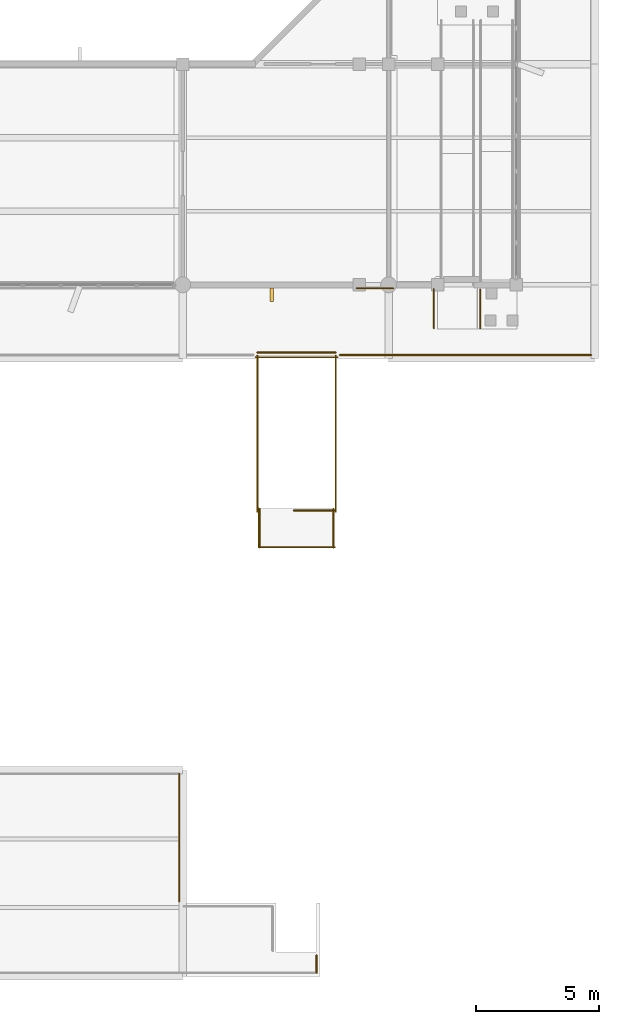
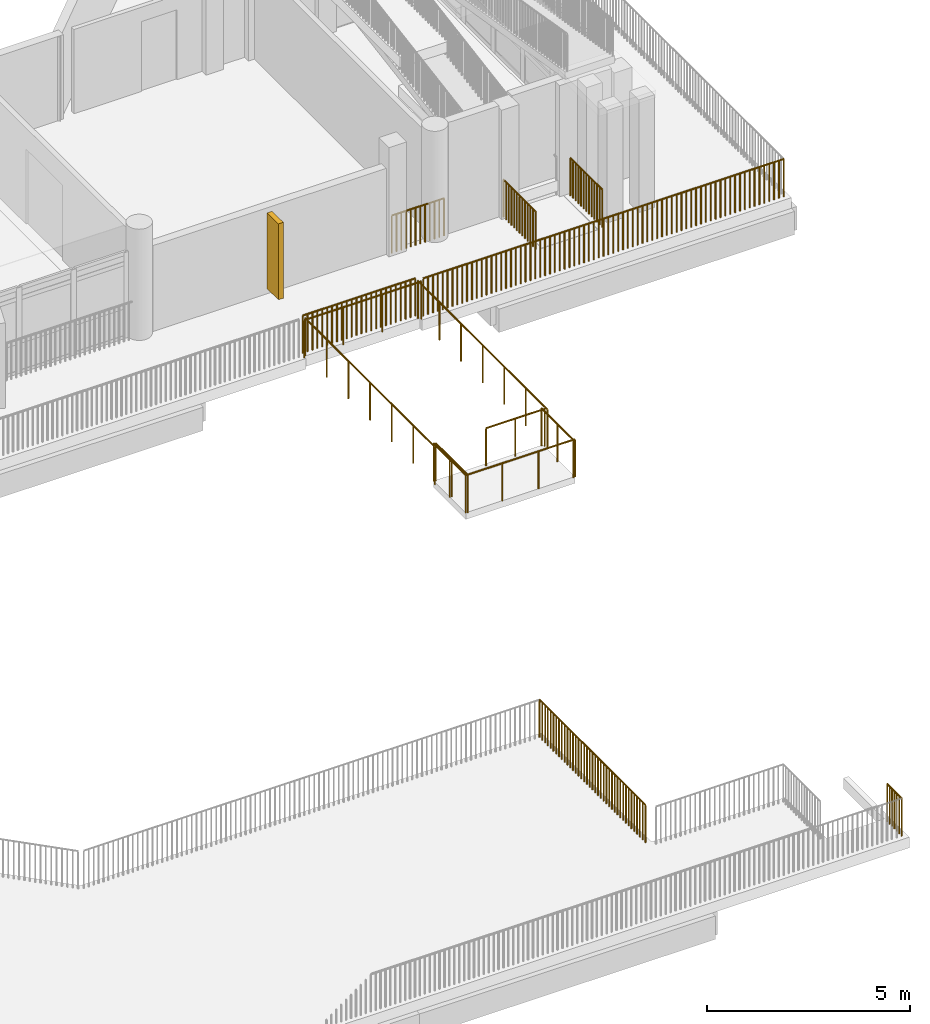
# One storey, part 43 of 51: 14 railings, 1 shading device.
"""IFC4 building model written with IfcOpenShell, lengths in metres."""

from ifc_helpers import new_model, si_unit, direction, frame, origin, origin_2d, place, context, subcontext, project, spatial, rectangle, circle, extrude, material, type_object, element, save


model = new_model("IFC4")

# Units and contexts
model_context = context("Model", 3, precision=1e-05, world=origin(), true_north=direction((0.0, 1.0)))
body_context = subcontext(model_context, "Body", "Model", "MODEL_VIEW")
ifc_project = project(units=[si_unit("LENGTHUNIT", "METRE"), si_unit("AREAUNIT", "SQUARE_METRE"), si_unit("VOLUMEUNIT", "CUBIC_METRE"), si_unit("PLANEANGLEUNIT", "RADIAN"), si_unit("MASSUNIT", "GRAM", prefix="KILO")], contexts=[model_context])

# Site, building, storey
site_placement = place(None, origin())
site = spatial("IfcSite", under=ifc_project, at=site_placement, CompositionType="ELEMENT")
building_placement = place(site_placement, origin())
building = spatial("IfcBuilding", under=site, at=building_placement, Name="Vanh Quang Courtyard School", CompositionType="ELEMENT")
storey_placement = place(building_placement, frame((0.0, 0.0, 11.39990234375)))
storey = spatial("IfcBuildingStorey", under=building, at=storey_placement, Name="L03", CompositionType="ELEMENT", Elevation=11.39990234375)

# Railings
ifc_material_1 = material(Name="Galvanised painted steel EN 10025-2 S355J2", Category="steel")
railing_type = type_object("IfcRailingType", Name="RAIL-GUARD-1150", PredefinedType="BALUSTRADE", material=ifc_material_1)
railing_1_placement = place(storey_placement, frame((109.694580078125, 32.260009765625, 0.0)))
element("IfcRailing", 1, at=railing_1_placement, inside=storey, type_object=railing_type, Name="Railing GR-01 (L03)", PredefinedType="BALUSTRADE", context=body_context, shape_type="SweptSolid", body=[
    extrude(circle(Radius=0.02392578125, at=origin_2d()), frame((0.0, 0.0, 1.1259765625), z_axis=(1.0, 0.0, 0.0), x_axis=(0.0, 1.0, 0.0)), (0.0, 0.0, 1.0), 1.48583984375),
    extrude(circle(Radius=0.02099609375, at=origin_2d()), origin(), (0.0, 0.0, 1.0), 1.101806640625),
    extrude(circle(Radius=0.02099609375, at=origin_2d()), frame((0.135009765625, 0.0, 0.0)), (0.0, 0.0, 1.0), 1.101806640625),
    extrude(circle(Radius=0.02099609375, at=origin_2d()), frame((0.270263671875, 0.0, 0.0)), (0.0, 0.0, 1.0), 1.101806640625),
    extrude(circle(Radius=0.02099609375, at=origin_2d()), frame((0.4052734375, 0.0, 0.0)), (0.0, 0.0, 1.0), 1.101806640625),
    extrude(circle(Radius=0.02099609375, at=origin_2d()), frame((0.540283203125, 0.0, 0.0)), (0.0, 0.0, 1.0), 1.101806640625),
    extrude(circle(Radius=0.02099609375, at=origin_2d()), frame((0.67529296875, 0.0, 0.0)), (0.0, 0.0, 1.0), 1.101806640625),
    extrude(circle(Radius=0.02099609375, at=origin_2d()), frame((0.810546875, 0.0, 0.0)), (0.0, 0.0, 1.0), 1.101806640625),
    extrude(circle(Radius=0.02099609375, at=origin_2d()), frame((0.945556640625, 0.0, 0.0)), (0.0, 0.0, 1.0), 1.101806640625),
    extrude(circle(Radius=0.02099609375, at=origin_2d()), frame((1.08056640625, 0.0, 0.0)), (0.0, 0.0, 1.0), 1.101806640625),
    extrude(circle(Radius=0.02099609375, at=origin_2d()), frame((1.215576171875, 0.0, 0.0)), (0.0, 0.0, 1.0), 1.101806640625),
    extrude(circle(Radius=0.02099609375, at=origin_2d()), frame((1.350830078125, 0.0, 0.0)), (0.0, 0.0, 1.0), 1.101806640625),
    extrude(circle(Radius=0.02099609375, at=origin_2d()), frame((1.48583984375, 0.0, 0.0)), (0.0, 0.0, 1.0), 1.101806640625),
])
railing_2_placement = place(storey_placement, frame((112.844970703125, 32.222900390625, 0.0)))
element("IfcRailing", 2, at=railing_2_placement, inside=storey, type_object=railing_type, Name="Railing GR-01 (L03)", PredefinedType="BALUSTRADE", context=body_context, shape_type="SweptSolid", body=[
    extrude(circle(Radius=0.02392578125, at=origin_2d()), frame((0.0, 0.0, 1.1259765625), z_axis=(0.0, -1.0, 0.0), x_axis=(1.0, 0.0, 0.0)), (0.0, 0.0, 1.0), 1.587890625),
    extrude(circle(Radius=0.02099609375, at=origin_2d()), origin(), (0.0, 0.0, 1.0), 1.101806640625),
    extrude(circle(Radius=0.02099609375, at=origin_2d()), frame((0.0, -0.13232421875, 0.0)), (0.0, 0.0, 1.0), 1.101806640625),
    extrude(circle(Radius=0.02099609375, at=origin_2d()), frame((0.0, -0.2646484375, 0.0)), (0.0, 0.0, 1.0), 1.101806640625),
    extrude(circle(Radius=0.02099609375, at=origin_2d()), frame((0.0, -0.39697265625, 0.0)), (0.0, 0.0, 1.0), 1.101806640625),
    extrude(circle(Radius=0.02099609375, at=origin_2d()), frame((0.0, -0.529296875, 0.0)), (0.0, 0.0, 1.0), 1.101806640625),
    extrude(circle(Radius=0.02099609375, at=origin_2d()), frame((0.0, -0.66162109375, 0.0)), (0.0, 0.0, 1.0), 1.101806640625),
    extrude(circle(Radius=0.02099609375, at=origin_2d()), frame((0.0, -0.7939453125, 0.0)), (0.0, 0.0, 1.0), 1.101806640625),
    extrude(circle(Radius=0.02099609375, at=origin_2d()), frame((0.0, -0.92626953125, 0.0)), (0.0, 0.0, 1.0), 1.101806640625),
    extrude(circle(Radius=0.02099609375, at=origin_2d()), frame((0.0, -1.05859375, 0.0)), (0.0, 0.0, 1.0), 1.101806640625),
    extrude(circle(Radius=0.02099609375, at=origin_2d()), frame((0.0, -1.19091796875, 0.0)), (0.0, 0.0, 1.0), 1.101806640625),
    extrude(circle(Radius=0.02099609375, at=origin_2d()), frame((0.0, -1.3232421875, 0.0)), (0.0, 0.0, 1.0), 1.101806640625),
    extrude(circle(Radius=0.02099609375, at=origin_2d()), frame((0.0, -1.45556640625, 0.0)), (0.0, 0.0, 1.0), 1.101806640625),
    extrude(circle(Radius=0.02099609375, at=origin_2d()), frame((0.0, -1.587890625, 0.0)), (0.0, 0.0, 1.0), 1.101806640625),
])
railing_3_placement = place(storey_placement, frame((114.735107421875, 30.635009765625, 0.0)))
element("IfcRailing", 3, at=railing_3_placement, inside=storey, type_object=railing_type, Name="Railing GR-01 (L03)", PredefinedType="BALUSTRADE", context=body_context, shape_type="SweptSolid", body=[
    extrude(circle(Radius=0.02392578125, at=origin_2d()), frame((0.0, 0.0, 1.1259765625), z_axis=(0.0, 1.0, 0.0), x_axis=(-1.0, 0.0, 0.0)), (0.0, 0.0, 1.0), 1.56494140625),
    extrude(circle(Radius=0.02099609375, at=origin_2d()), origin(), (0.0, 0.0, 1.0), 1.101806640625),
    extrude(circle(Radius=0.02099609375, at=origin_2d()), frame((0.0, 0.13037109375, 0.0)), (0.0, 0.0, 1.0), 1.101806640625),
    extrude(circle(Radius=0.02099609375, at=origin_2d()), frame((0.0, 0.2607421875, 0.0)), (0.0, 0.0, 1.0), 1.101806640625),
    extrude(circle(Radius=0.02099609375, at=origin_2d()), frame((0.0, 0.39111328125, 0.0)), (0.0, 0.0, 1.0), 1.101806640625),
    extrude(circle(Radius=0.02099609375, at=origin_2d()), frame((0.0, 0.521728515625, 0.0)), (0.0, 0.0, 1.0), 1.101806640625),
    extrude(circle(Radius=0.02099609375, at=origin_2d()), frame((0.0, 0.652099609375, 0.0)), (0.0, 0.0, 1.0), 1.101806640625),
    extrude(circle(Radius=0.02099609375, at=origin_2d()), frame((0.0, 0.782470703125, 0.0)), (0.0, 0.0, 1.0), 1.101806640625),
    extrude(circle(Radius=0.02099609375, at=origin_2d()), frame((0.0, 0.912841796875, 0.0)), (0.0, 0.0, 1.0), 1.101806640625),
    extrude(circle(Radius=0.02099609375, at=origin_2d()), frame((0.0, 1.043212890625, 0.0)), (0.0, 0.0, 1.0), 1.101806640625),
    extrude(circle(Radius=0.02099609375, at=origin_2d()), frame((0.0, 1.173828125, 0.0)), (0.0, 0.0, 1.0), 1.101806640625),
    extrude(circle(Radius=0.02099609375, at=origin_2d()), frame((0.0, 1.30419921875, 0.0)), (0.0, 0.0, 1.0), 1.101806640625),
    extrude(circle(Radius=0.02099609375, at=origin_2d()), frame((0.0, 1.4345703125, 0.0)), (0.0, 0.0, 1.0), 1.101806640625),
    extrude(circle(Radius=0.02099609375, at=origin_2d()), frame((0.0, 1.56494140625, 0.0)), (0.0, 0.0, 1.0), 1.101806640625),
])
railing_4_placement = place(storey_placement, frame((119.260009765625, 29.5400390625, 0.0)))
element("IfcRailing", 4, at=railing_4_placement, inside=storey, type_object=railing_type, Name="Railing GR-01 (L03)", PredefinedType="BALUSTRADE", context=body_context, shape_type="SweptSolid", body=[
    extrude(circle(Radius=0.02392578125, at=origin_2d()), frame((0.0, 0.0, 1.1259765625), z_axis=(-1.0, 0.0, 0.0), x_axis=(0.0, -1.0, 0.0)), (0.0, 0.0, 1.0), 10.242919921875),
    extrude(circle(Radius=0.02099609375, at=origin_2d()), origin(), (0.0, 0.0, 1.0), 1.101806640625),
    extrude(circle(Radius=0.02099609375, at=origin_2d()), frame((-0.138427734375, 0.0, 0.0)), (0.0, 0.0, 1.0), 1.101806640625),
    extrude(circle(Radius=0.02099609375, at=origin_2d()), frame((-0.27685546875, 0.0, 0.0)), (0.0, 0.0, 1.0), 1.101806640625),
    extrude(circle(Radius=0.02099609375, at=origin_2d()), frame((-0.415283203125, 0.0, 0.0)), (0.0, 0.0, 1.0), 1.101806640625),
    extrude(circle(Radius=0.02099609375, at=origin_2d()), frame((-0.5537109375, 0.0, 0.0)), (0.0, 0.0, 1.0), 1.101806640625),
    extrude(circle(Radius=0.02099609375, at=origin_2d()), frame((-0.692138671875, 0.0, 0.0)), (0.0, 0.0, 1.0), 1.101806640625),
    extrude(circle(Radius=0.02099609375, at=origin_2d()), frame((-0.83056640625, 0.0, 0.0)), (0.0, 0.0, 1.0), 1.101806640625),
    extrude(circle(Radius=0.02099609375, at=origin_2d()), frame((-0.968994140625, 0.0, 0.0)), (0.0, 0.0, 1.0), 1.101806640625),
    extrude(circle(Radius=0.02099609375, at=origin_2d()), frame((-1.107421875, 0.0, 0.0)), (0.0, 0.0, 1.0), 1.101806640625),
    extrude(circle(Radius=0.02099609375, at=origin_2d()), frame((-1.245849609375, 0.0, 0.0)), (0.0, 0.0, 1.0), 1.101806640625),
    extrude(circle(Radius=0.02099609375, at=origin_2d()), frame((-1.38427734375, 0.0, 0.0)), (0.0, 0.0, 1.0), 1.101806640625),
    extrude(circle(Radius=0.02099609375, at=origin_2d()), frame((-1.522705078125, 0.0, 0.0)), (0.0, 0.0, 1.0), 1.101806640625),
    extrude(circle(Radius=0.02099609375, at=origin_2d()), frame((-1.6611328125, 0.0, 0.0)), (0.0, 0.0, 1.0), 1.101806640625),
    extrude(circle(Radius=0.02099609375, at=origin_2d()), frame((-1.79931640625, 0.0, 0.0)), (0.0, 0.0, 1.0), 1.101806640625),
    extrude(circle(Radius=0.02099609375, at=origin_2d()), frame((-1.937744140625, 0.0, 0.0)), (0.0, 0.0, 1.0), 1.101806640625),
    extrude(circle(Radius=0.02099609375, at=origin_2d()), frame((-2.076171875, 0.0, 0.0)), (0.0, 0.0, 1.0), 1.101806640625),
    extrude(circle(Radius=0.02099609375, at=origin_2d()), frame((-2.214599609375, 0.0, 0.0)), (0.0, 0.0, 1.0), 1.101806640625),
    extrude(circle(Radius=0.02099609375, at=origin_2d()), frame((-2.35302734375, 0.0, 0.0)), (0.0, 0.0, 1.0), 1.101806640625),
    extrude(circle(Radius=0.02099609375, at=origin_2d()), frame((-2.491455078125, 0.0, 0.0)), (0.0, 0.0, 1.0), 1.101806640625),
    extrude(circle(Radius=0.02099609375, at=origin_2d()), frame((-2.6298828125, 0.0, 0.0)), (0.0, 0.0, 1.0), 1.101806640625),
    extrude(circle(Radius=0.02099609375, at=origin_2d()), frame((-2.768310546875, 0.0, 0.0)), (0.0, 0.0, 1.0), 1.101806640625),
    extrude(circle(Radius=0.02099609375, at=origin_2d()), frame((-2.90673828125, 0.0, 0.0)), (0.0, 0.0, 1.0), 1.101806640625),
    extrude(circle(Radius=0.02099609375, at=origin_2d()), frame((-3.045166015625, 0.0, 0.0)), (0.0, 0.0, 1.0), 1.101806640625),
    extrude(circle(Radius=0.02099609375, at=origin_2d()), frame((-3.18359375, 0.0, 0.0)), (0.0, 0.0, 1.0), 1.101806640625),
    extrude(circle(Radius=0.02099609375, at=origin_2d()), frame((-3.322021484375, 0.0, 0.0)), (0.0, 0.0, 1.0), 1.101806640625),
    extrude(circle(Radius=0.02099609375, at=origin_2d()), frame((-3.46044921875, 0.0, 0.0)), (0.0, 0.0, 1.0), 1.101806640625),
    extrude(circle(Radius=0.02099609375, at=origin_2d()), frame((-3.598876953125, 0.0, 0.0)), (0.0, 0.0, 1.0), 1.101806640625),
    extrude(circle(Radius=0.02099609375, at=origin_2d()), frame((-3.7373046875, 0.0, 0.0)), (0.0, 0.0, 1.0), 1.101806640625),
    extrude(circle(Radius=0.02099609375, at=origin_2d()), frame((-3.875732421875, 0.0, 0.0)), (0.0, 0.0, 1.0), 1.101806640625),
    extrude(circle(Radius=0.02099609375, at=origin_2d()), frame((-4.01416015625, 0.0, 0.0)), (0.0, 0.0, 1.0), 1.101806640625),
    extrude(circle(Radius=0.02099609375, at=origin_2d()), frame((-4.152587890625, 0.0, 0.0)), (0.0, 0.0, 1.0), 1.101806640625),
    extrude(circle(Radius=0.02099609375, at=origin_2d()), frame((-4.291015625, 0.0, 0.0)), (0.0, 0.0, 1.0), 1.101806640625),
    extrude(circle(Radius=0.02099609375, at=origin_2d()), frame((-4.429443359375, 0.0, 0.0)), (0.0, 0.0, 1.0), 1.101806640625),
    extrude(circle(Radius=0.02099609375, at=origin_2d()), frame((-4.56787109375, 0.0, 0.0)), (0.0, 0.0, 1.0), 1.101806640625),
    extrude(circle(Radius=0.02099609375, at=origin_2d()), frame((-4.706298828125, 0.0, 0.0)), (0.0, 0.0, 1.0), 1.101806640625),
    extrude(circle(Radius=0.02099609375, at=origin_2d()), frame((-4.8447265625, 0.0, 0.0)), (0.0, 0.0, 1.0), 1.101806640625),
    extrude(circle(Radius=0.02099609375, at=origin_2d()), frame((-4.983154296875, 0.0, 0.0)), (0.0, 0.0, 1.0), 1.101806640625),
    extrude(circle(Radius=0.02099609375, at=origin_2d()), frame((-5.12158203125, 0.0, 0.0)), (0.0, 0.0, 1.0), 1.101806640625),
    extrude(circle(Radius=0.02099609375, at=origin_2d()), frame((-5.259765625, 0.0, 0.0)), (0.0, 0.0, 1.0), 1.101806640625),
    extrude(circle(Radius=0.02099609375, at=origin_2d()), frame((-5.398193359375, 0.0, 0.0)), (0.0, 0.0, 1.0), 1.101806640625),
    extrude(circle(Radius=0.02099609375, at=origin_2d()), frame((-5.53662109375, 0.0, 0.0)), (0.0, 0.0, 1.0), 1.101806640625),
    extrude(circle(Radius=0.02099609375, at=origin_2d()), frame((-5.675048828125, 0.0, 0.0)), (0.0, 0.0, 1.0), 1.101806640625),
    extrude(circle(Radius=0.02099609375, at=origin_2d()), frame((-5.8134765625, 0.0, 0.0)), (0.0, 0.0, 1.0), 1.101806640625),
    extrude(circle(Radius=0.02099609375, at=origin_2d()), frame((-5.951904296875, 0.0, 0.0)), (0.0, 0.0, 1.0), 1.101806640625),
    extrude(circle(Radius=0.02099609375, at=origin_2d()), frame((-6.09033203125, 0.0, 0.0)), (0.0, 0.0, 1.0), 1.101806640625),
    extrude(circle(Radius=0.02099609375, at=origin_2d()), frame((-6.228759765625, 0.0, 0.0)), (0.0, 0.0, 1.0), 1.101806640625),
    extrude(circle(Radius=0.02099609375, at=origin_2d()), frame((-6.3671875, 0.0, 0.0)), (0.0, 0.0, 1.0), 1.101806640625),
    extrude(circle(Radius=0.02099609375, at=origin_2d()), frame((-6.505615234375, 0.0, 0.0)), (0.0, 0.0, 1.0), 1.101806640625),
    extrude(circle(Radius=0.02099609375, at=origin_2d()), frame((-6.64404296875, 0.0, 0.0)), (0.0, 0.0, 1.0), 1.101806640625),
    extrude(circle(Radius=0.02099609375, at=origin_2d()), frame((-6.782470703125, 0.0, 0.0)), (0.0, 0.0, 1.0), 1.101806640625),
    extrude(circle(Radius=0.02099609375, at=origin_2d()), frame((-6.9208984375, 0.0, 0.0)), (0.0, 0.0, 1.0), 1.101806640625),
    extrude(circle(Radius=0.02099609375, at=origin_2d()), frame((-7.059326171875, 0.0, 0.0)), (0.0, 0.0, 1.0), 1.101806640625),
    extrude(circle(Radius=0.02099609375, at=origin_2d()), frame((-7.19775390625, 0.0, 0.0)), (0.0, 0.0, 1.0), 1.101806640625),
    extrude(circle(Radius=0.02099609375, at=origin_2d()), frame((-7.336181640625, 0.0, 0.0)), (0.0, 0.0, 1.0), 1.101806640625),
    extrude(circle(Radius=0.02099609375, at=origin_2d()), frame((-7.474609375, 0.0, 0.0)), (0.0, 0.0, 1.0), 1.101806640625),
    extrude(circle(Radius=0.02099609375, at=origin_2d()), frame((-7.613037109375, 0.0, 0.0)), (0.0, 0.0, 1.0), 1.101806640625),
    extrude(circle(Radius=0.02099609375, at=origin_2d()), frame((-7.75146484375, 0.0, 0.0)), (0.0, 0.0, 1.0), 1.101806640625),
    extrude(circle(Radius=0.02099609375, at=origin_2d()), frame((-7.889892578125, 0.0, 0.0)), (0.0, 0.0, 1.0), 1.101806640625),
    extrude(circle(Radius=0.02099609375, at=origin_2d()), frame((-8.0283203125, 0.0, 0.0)), (0.0, 0.0, 1.0), 1.101806640625),
    extrude(circle(Radius=0.02099609375, at=origin_2d()), frame((-8.166748046875, 0.0, 0.0)), (0.0, 0.0, 1.0), 1.101806640625),
    extrude(circle(Radius=0.02099609375, at=origin_2d()), frame((-8.30517578125, 0.0, 0.0)), (0.0, 0.0, 1.0), 1.101806640625),
    extrude(circle(Radius=0.02099609375, at=origin_2d()), frame((-8.443603515625, 0.0, 0.0)), (0.0, 0.0, 1.0), 1.101806640625),
    extrude(circle(Radius=0.02099609375, at=origin_2d()), frame((-8.581787109375, 0.0, 0.0)), (0.0, 0.0, 1.0), 1.101806640625),
    extrude(circle(Radius=0.02099609375, at=origin_2d()), frame((-8.72021484375, 0.0, 0.0)), (0.0, 0.0, 1.0), 1.101806640625),
    extrude(circle(Radius=0.02099609375, at=origin_2d()), frame((-8.858642578125, 0.0, 0.0)), (0.0, 0.0, 1.0), 1.101806640625),
    extrude(circle(Radius=0.02099609375, at=origin_2d()), frame((-8.9970703125, 0.0, 0.0)), (0.0, 0.0, 1.0), 1.101806640625),
    extrude(circle(Radius=0.02099609375, at=origin_2d()), frame((-9.135498046875, 0.0, 0.0)), (0.0, 0.0, 1.0), 1.101806640625),
    extrude(circle(Radius=0.02099609375, at=origin_2d()), frame((-9.27392578125, 0.0, 0.0)), (0.0, 0.0, 1.0), 1.101806640625),
    extrude(circle(Radius=0.02099609375, at=origin_2d()), frame((-9.412353515625, 0.0, 0.0)), (0.0, 0.0, 1.0), 1.101806640625),
    extrude(circle(Radius=0.02099609375, at=origin_2d()), frame((-9.55078125, 0.0, 0.0)), (0.0, 0.0, 1.0), 1.101806640625),
    extrude(circle(Radius=0.02099609375, at=origin_2d()), frame((-9.689208984375, 0.0, 0.0)), (0.0, 0.0, 1.0), 1.101806640625),
    extrude(circle(Radius=0.02099609375, at=origin_2d()), frame((-9.82763671875, 0.0, 0.0)), (0.0, 0.0, 1.0), 1.101806640625),
    extrude(circle(Radius=0.02099609375, at=origin_2d()), frame((-9.966064453125, 0.0, 0.0)), (0.0, 0.0, 1.0), 1.101806640625),
    extrude(circle(Radius=0.02099609375, at=origin_2d()), frame((-10.1044921875, 0.0, 0.0)), (0.0, 0.0, 1.0), 1.101806640625),
    extrude(circle(Radius=0.02099609375, at=origin_2d()), frame((-10.242919921875, 0.0, 0.0)), (0.0, 0.0, 1.0), 1.101806640625),
])
railing_5_placement = place(storey_placement, frame((108.85009765625, 29.639892578125, 0.0)))
element("IfcRailing", 5, at=railing_5_placement, inside=storey, type_object=railing_type, Name="Railing GR-01 (L03)", PredefinedType="BALUSTRADE", context=body_context, shape_type="SweptSolid", body=[
    extrude(circle(Radius=0.02392578125, at=origin_2d()), frame((0.0, 0.0, 1.1259765625), z_axis=(-1.0, 0.0, 0.0), x_axis=(0.0, -1.0, 0.0)), (0.0, 0.0, 1.0), 3.2001953125),
    extrude(circle(Radius=0.02099609375, at=origin_2d()), origin(), (0.0, 0.0, 1.0), 1.101806640625),
    extrude(circle(Radius=0.02099609375, at=origin_2d()), frame((-0.13916015625, 0.0, 0.0)), (0.0, 0.0, 1.0), 1.101806640625),
    extrude(circle(Radius=0.02099609375, at=origin_2d()), frame((-0.2783203125, 0.0, 0.0)), (0.0, 0.0, 1.0), 1.101806640625),
    extrude(circle(Radius=0.02099609375, at=origin_2d()), frame((-0.41748046875, 0.0, 0.0)), (0.0, 0.0, 1.0), 1.101806640625),
    extrude(circle(Radius=0.02099609375, at=origin_2d()), frame((-0.556640625, 0.0, 0.0)), (0.0, 0.0, 1.0), 1.101806640625),
    extrude(circle(Radius=0.02099609375, at=origin_2d()), frame((-0.69580078125, 0.0, 0.0)), (0.0, 0.0, 1.0), 1.101806640625),
    extrude(circle(Radius=0.02099609375, at=origin_2d()), frame((-0.834716796875, 0.0, 0.0)), (0.0, 0.0, 1.0), 1.101806640625),
    extrude(circle(Radius=0.02099609375, at=origin_2d()), frame((-0.973876953125, 0.0, 0.0)), (0.0, 0.0, 1.0), 1.101806640625),
    extrude(circle(Radius=0.02099609375, at=origin_2d()), frame((-1.113037109375, 0.0, 0.0)), (0.0, 0.0, 1.0), 1.101806640625),
    extrude(circle(Radius=0.02099609375, at=origin_2d()), frame((-1.252197265625, 0.0, 0.0)), (0.0, 0.0, 1.0), 1.101806640625),
    extrude(circle(Radius=0.02099609375, at=origin_2d()), frame((-1.391357421875, 0.0, 0.0)), (0.0, 0.0, 1.0), 1.101806640625),
    extrude(circle(Radius=0.02099609375, at=origin_2d()), frame((-1.530517578125, 0.0, 0.0)), (0.0, 0.0, 1.0), 1.101806640625),
    extrude(circle(Radius=0.02099609375, at=origin_2d()), frame((-1.669677734375, 0.0, 0.0)), (0.0, 0.0, 1.0), 1.101806640625),
    extrude(circle(Radius=0.02099609375, at=origin_2d()), frame((-1.808837890625, 0.0, 0.0)), (0.0, 0.0, 1.0), 1.101806640625),
    extrude(circle(Radius=0.02099609375, at=origin_2d()), frame((-1.947998046875, 0.0, 0.0)), (0.0, 0.0, 1.0), 1.101806640625),
    extrude(circle(Radius=0.02099609375, at=origin_2d()), frame((-2.087158203125, 0.0, 0.0)), (0.0, 0.0, 1.0), 1.101806640625),
    extrude(circle(Radius=0.02099609375, at=origin_2d()), frame((-2.226318359375, 0.0, 0.0)), (0.0, 0.0, 1.0), 1.101806640625),
    extrude(circle(Radius=0.02099609375, at=origin_2d()), frame((-2.365478515625, 0.0, 0.0)), (0.0, 0.0, 1.0), 1.101806640625),
    extrude(circle(Radius=0.02099609375, at=origin_2d()), frame((-2.50439453125, 0.0, 0.0)), (0.0, 0.0, 1.0), 1.101806640625),
    extrude(circle(Radius=0.02099609375, at=origin_2d()), frame((-2.6435546875, 0.0, 0.0)), (0.0, 0.0, 1.0), 1.101806640625),
    extrude(circle(Radius=0.02099609375, at=origin_2d()), frame((-2.78271484375, 0.0, 0.0)), (0.0, 0.0, 1.0), 1.101806640625),
    extrude(circle(Radius=0.02099609375, at=origin_2d()), frame((-2.921875, 0.0, 0.0)), (0.0, 0.0, 1.0), 1.101806640625),
    extrude(circle(Radius=0.02099609375, at=origin_2d()), frame((-3.06103515625, 0.0, 0.0)), (0.0, 0.0, 1.0), 1.101806640625),
    extrude(circle(Radius=0.02099609375, at=origin_2d()), frame((-3.2001953125, 0.0, 0.0)), (0.0, 0.0, 1.0), 1.101806640625),
])
railing_6_placement = place(storey_placement, frame((102.4599609375, 12.4599609375, 0.0)))
element("IfcRailing", 6, at=railing_6_placement, inside=storey, type_object=railing_type, Name="Railing GR-01 (L03)", PredefinedType="BALUSTRADE", context=body_context, shape_type="SweptSolid", body=[
    extrude(circle(Radius=0.02392578125, at=origin_2d()), frame((0.0, 0.0, 1.1259765625), z_axis=(0.0, -1.0, 0.0), x_axis=(1.0, 0.0, 0.0)), (0.0, 0.0, 1.0), 5.2099609375),
    extrude(circle(Radius=0.02099609375, at=origin_2d()), origin(), (0.0, 0.0, 1.0), 1.101806640625),
    extrude(circle(Radius=0.02099609375, at=origin_2d()), frame((0.0, -0.13720703125, 0.0)), (0.0, 0.0, 1.0), 1.101806640625),
    extrude(circle(Radius=0.02099609375, at=origin_2d()), frame((0.0, -0.274169921875, 0.0)), (0.0, 0.0, 1.0), 1.101806640625),
    extrude(circle(Radius=0.02099609375, at=origin_2d()), frame((0.0, -0.411376953125, 0.0)), (0.0, 0.0, 1.0), 1.101806640625),
    extrude(circle(Radius=0.02099609375, at=origin_2d()), frame((0.0, -0.54833984375, 0.0)), (0.0, 0.0, 1.0), 1.101806640625),
    extrude(circle(Radius=0.02099609375, at=origin_2d()), frame((0.0, -0.685546875, 0.0)), (0.0, 0.0, 1.0), 1.101806640625),
    extrude(circle(Radius=0.02099609375, at=origin_2d()), frame((0.0, -0.822509765625, 0.0)), (0.0, 0.0, 1.0), 1.101806640625),
    extrude(circle(Radius=0.02099609375, at=origin_2d()), frame((0.0, -0.959716796875, 0.0)), (0.0, 0.0, 1.0), 1.101806640625),
    extrude(circle(Radius=0.02099609375, at=origin_2d()), frame((0.0, -1.096923828125, 0.0)), (0.0, 0.0, 1.0), 1.101806640625),
    extrude(circle(Radius=0.02099609375, at=origin_2d()), frame((0.0, -1.23388671875, 0.0)), (0.0, 0.0, 1.0), 1.101806640625),
    extrude(circle(Radius=0.02099609375, at=origin_2d()), frame((0.0, -1.37109375, 0.0)), (0.0, 0.0, 1.0), 1.101806640625),
    extrude(circle(Radius=0.02099609375, at=origin_2d()), frame((0.0, -1.508056640625, 0.0)), (0.0, 0.0, 1.0), 1.101806640625),
    extrude(circle(Radius=0.02099609375, at=origin_2d()), frame((0.0, -1.645263671875, 0.0)), (0.0, 0.0, 1.0), 1.101806640625),
    extrude(circle(Radius=0.02099609375, at=origin_2d()), frame((0.0, -1.782470703125, 0.0)), (0.0, 0.0, 1.0), 1.101806640625),
    extrude(circle(Radius=0.02099609375, at=origin_2d()), frame((0.0, -1.91943359375, 0.0)), (0.0, 0.0, 1.0), 1.101806640625),
    extrude(circle(Radius=0.02099609375, at=origin_2d()), frame((0.0, -2.056640625, 0.0)), (0.0, 0.0, 1.0), 1.101806640625),
    extrude(circle(Radius=0.02099609375, at=origin_2d()), frame((0.0, -2.193603515625, 0.0)), (0.0, 0.0, 1.0), 1.101806640625),
    extrude(circle(Radius=0.02099609375, at=origin_2d()), frame((0.0, -2.330810546875, 0.0)), (0.0, 0.0, 1.0), 1.101806640625),
    extrude(circle(Radius=0.02099609375, at=origin_2d()), frame((0.0, -2.4677734375, 0.0)), (0.0, 0.0, 1.0), 1.101806640625),
    extrude(circle(Radius=0.02099609375, at=origin_2d()), frame((0.0, -2.60498046875, 0.0)), (0.0, 0.0, 1.0), 1.101806640625),
    extrude(circle(Radius=0.02099609375, at=origin_2d()), frame((0.0, -2.7421875, 0.0)), (0.0, 0.0, 1.0), 1.101806640625),
    extrude(circle(Radius=0.02099609375, at=origin_2d()), frame((0.0, -2.879150390625, 0.0)), (0.0, 0.0, 1.0), 1.101806640625),
    extrude(circle(Radius=0.02099609375, at=origin_2d()), frame((0.0, -3.016357421875, 0.0)), (0.0, 0.0, 1.0), 1.101806640625),
    extrude(circle(Radius=0.02099609375, at=origin_2d()), frame((0.0, -3.1533203125, 0.0)), (0.0, 0.0, 1.0), 1.101806640625),
    extrude(circle(Radius=0.02099609375, at=origin_2d()), frame((0.0, -3.29052734375, 0.0)), (0.0, 0.0, 1.0), 1.101806640625),
    extrude(circle(Radius=0.02099609375, at=origin_2d()), frame((0.0, -3.427490234375, 0.0)), (0.0, 0.0, 1.0), 1.101806640625),
    extrude(circle(Radius=0.02099609375, at=origin_2d()), frame((0.0, -3.564697265625, 0.0)), (0.0, 0.0, 1.0), 1.101806640625),
    extrude(circle(Radius=0.02099609375, at=origin_2d()), frame((0.0, -3.701904296875, 0.0)), (0.0, 0.0, 1.0), 1.101806640625),
    extrude(circle(Radius=0.02099609375, at=origin_2d()), frame((0.0, -3.8388671875, 0.0)), (0.0, 0.0, 1.0), 1.101806640625),
    extrude(circle(Radius=0.02099609375, at=origin_2d()), frame((0.0, -3.97607421875, 0.0)), (0.0, 0.0, 1.0), 1.101806640625),
    extrude(circle(Radius=0.02099609375, at=origin_2d()), frame((0.0, -4.113037109375, 0.0)), (0.0, 0.0, 1.0), 1.101806640625),
    extrude(circle(Radius=0.02099609375, at=origin_2d()), frame((0.0, -4.250244140625, 0.0)), (0.0, 0.0, 1.0), 1.101806640625),
    extrude(circle(Radius=0.02099609375, at=origin_2d()), frame((0.0, -4.387451171875, 0.0)), (0.0, 0.0, 1.0), 1.101806640625),
    extrude(circle(Radius=0.02099609375, at=origin_2d()), frame((0.0, -4.5244140625, 0.0)), (0.0, 0.0, 1.0), 1.101806640625),
    extrude(circle(Radius=0.02099609375, at=origin_2d()), frame((0.0, -4.66162109375, 0.0)), (0.0, 0.0, 1.0), 1.101806640625),
    extrude(circle(Radius=0.02099609375, at=origin_2d()), frame((0.0, -4.798583984375, 0.0)), (0.0, 0.0, 1.0), 1.101806640625),
    extrude(circle(Radius=0.02099609375, at=origin_2d()), frame((0.0, -4.935791015625, 0.0)), (0.0, 0.0, 1.0), 1.101806640625),
    extrude(circle(Radius=0.02099609375, at=origin_2d()), frame((0.0, -5.07275390625, 0.0)), (0.0, 0.0, 1.0), 1.101806640625),
    extrude(circle(Radius=0.02099609375, at=origin_2d()), frame((0.0, -5.2099609375, 0.0)), (0.0, 0.0, 1.0), 1.101806640625),
])
railing_7_placement = place(storey_placement, frame((108.06005859375, 5.05322265625, 0.0)))
element("IfcRailing", 7, at=railing_7_placement, inside=storey, type_object=railing_type, Name="Railing GR-01 (L03)", PredefinedType="BALUSTRADE", context=body_context, shape_type="SweptSolid", body=[
    extrude(circle(Radius=0.02392578125, at=origin_2d()), frame((0.0, 0.0, 1.1259765625), z_axis=(0.0, -1.0, 0.0), x_axis=(1.0, 0.0, 0.0)), (0.0, 0.0, 1.0), 0.713134765625),
    extrude(circle(Radius=0.02099609375, at=origin_2d()), origin(), (0.0, 0.0, 1.0), 1.101806640625),
    extrude(circle(Radius=0.02099609375, at=origin_2d()), frame((0.0, -0.118896484375, 0.0)), (0.0, 0.0, 1.0), 1.101806640625),
    extrude(circle(Radius=0.02099609375, at=origin_2d()), frame((0.0, -0.23779296875, 0.0)), (0.0, 0.0, 1.0), 1.101806640625),
    extrude(circle(Radius=0.02099609375, at=origin_2d()), frame((0.0, -0.3564453125, 0.0)), (0.0, 0.0, 1.0), 1.101806640625),
    extrude(circle(Radius=0.02099609375, at=origin_2d()), frame((0.0, -0.475341796875, 0.0)), (0.0, 0.0, 1.0), 1.101806640625),
    extrude(circle(Radius=0.02099609375, at=origin_2d()), frame((0.0, -0.59423828125, 0.0)), (0.0, 0.0, 1.0), 1.101806640625),
    extrude(circle(Radius=0.02099609375, at=origin_2d()), frame((0.0, -0.713134765625, 0.0)), (0.0, 0.0, 1.0), 1.101806640625),
])
railing_8_placement = place(storey_placement, frame((108.81201171875, 23.199951171875, 0.0)))
element("IfcRailing", 8, at=railing_8_placement, inside=storey, type_object=railing_type, Name="L03 ST-T3 top well guard 1", PredefinedType="BALUSTRADE", context=body_context, shape_type="SweptSolid", body=[
    extrude(circle(Radius=0.02392578125, at=origin_2d()), frame((0.0, 0.0, 1.1259765625), z_axis=(-1.0, 0.0, 0.0), x_axis=(0.0, -1.0, 0.0)), (0.0, 0.0, 1.0), 1.674072265625),
    extrude(circle(Radius=0.02099609375, at=origin_2d()), origin(), (0.0, 0.0, 1.0), 1.101806640625),
    extrude(circle(Radius=0.02099609375, at=origin_2d()), frame((-0.8369140625, 0.0, 0.0)), (0.0, 0.0, 1.0), 1.101806640625),
    extrude(circle(Radius=0.02099609375, at=origin_2d()), frame((-1.674072265625, 0.0, 0.0)), (0.0, 0.0, 1.0), 1.101806640625),
])
for number, where, name in (
    (9, (108.85009765625, 23.137939453125, 0.0), "L03 ST-T3 top well guard 2"),
    (10, (105.64990234375, 23.137939453125, 0.0), "L03 ST-T3 top well guard 3"),
):
    element("IfcRailing", number, at=place(storey_placement, frame(where)), inside=storey, type_object=railing_type, Name=name, PredefinedType="BALUSTRADE", context=body_context, shape_type="SweptSolid", body=[
        extrude(circle(Radius=0.02392578125, at=origin_2d()), frame((0.0, 0.0, 1.1259765625), z_axis=(0.0, 1.0, 0.0), x_axis=(-1.0, 0.0, 0.0)), (0.0, 0.0, 1.0), 6.3740234375),
        extrude(circle(Radius=0.02099609375, at=origin_2d()), origin(), (0.0, 0.0, 1.0), 1.101806640625),
        extrude(circle(Radius=0.02099609375, at=origin_2d()), frame((0.0, 1.062255859375, 0.0)), (0.0, 0.0, 1.0), 1.101806640625),
        extrude(circle(Radius=0.02099609375, at=origin_2d()), frame((0.0, 2.124755859375, 0.0)), (0.0, 0.0, 1.0), 1.101806640625),
        extrude(circle(Radius=0.02099609375, at=origin_2d()), frame((0.0, 3.18701171875, 0.0)), (0.0, 0.0, 1.0), 1.101806640625),
        extrude(circle(Radius=0.02099609375, at=origin_2d()), frame((0.0, 4.249267578125, 0.0)), (0.0, 0.0, 1.0), 1.101806640625),
        extrude(circle(Radius=0.02099609375, at=origin_2d()), frame((0.0, 5.311767578125, 0.0)), (0.0, 0.0, 1.0), 1.101806640625),
        extrude(circle(Radius=0.02099609375, at=origin_2d()), frame((0.0, 6.3740234375, 0.0)), (0.0, 0.0, 1.0), 1.101806640625),
    ])
railing_9_placement = place(storey_placement, frame((108.912109375, 29.449951171875, 0.0)))
element("IfcRailing", 11, at=railing_9_placement, inside=storey, type_object=railing_type, Name="L03 ST-T3 top well guard 4", PredefinedType="BALUSTRADE", context=body_context, shape_type="SweptSolid", body=[
    extrude(circle(Radius=0.02392578125, at=origin_2d()), frame((0.0, 0.0, 1.1259765625), z_axis=(-1.0, 0.0, 0.0), x_axis=(0.0, -1.0, 0.0)), (0.0, 0.0, 1.0), 3.32421875),
    extrude(circle(Radius=0.02099609375, at=origin_2d()), origin(), (0.0, 0.0, 1.0), 1.101806640625),
    extrude(circle(Radius=0.02099609375, at=origin_2d()), frame((-1.108154296875, 0.0, 0.0)), (0.0, 0.0, 1.0), 1.101806640625),
    extrude(circle(Radius=0.02099609375, at=origin_2d()), frame((-2.216064453125, 0.0, 0.0)), (0.0, 0.0, 1.0), 1.101806640625),
    extrude(circle(Radius=0.02099609375, at=origin_2d()), frame((-3.32421875, 0.0, 0.0)), (0.0, 0.0, 1.0), 1.101806640625),
])
for number, where, name in (
    (12, (108.75, 21.68798828125, 0.0), "L03 ST-T3 top well guard 5"),
    (13, (105.75, 21.68798828125, 0.0), "L03 ST-T3 top well guard 6"),
):
    element("IfcRailing", number, at=place(storey_placement, frame(where)), inside=storey, type_object=railing_type, Name=name, PredefinedType="BALUSTRADE", context=body_context, shape_type="SweptSolid", body=[
        extrude(circle(Radius=0.02392578125, at=origin_2d()), frame((0.0, 0.0, 1.1259765625), z_axis=(0.0, 1.0, 0.0), x_axis=(-1.0, 0.0, 0.0)), (0.0, 0.0, 1.0), 1.573974609375),
        extrude(circle(Radius=0.02099609375, at=origin_2d()), origin(), (0.0, 0.0, 1.0), 1.101806640625),
        extrude(circle(Radius=0.02099609375, at=origin_2d()), frame((0.0, 0.787109375, 0.0)), (0.0, 0.0, 1.0), 1.101806640625),
        extrude(circle(Radius=0.02099609375, at=origin_2d()), frame((0.0, 1.573974609375, 0.0)), (0.0, 0.0, 1.0), 1.101806640625),
    ])
railing_10_placement = place(storey_placement, frame((108.800048828125, 21.699951171875, 0.0)))
element("IfcRailing", 14, at=railing_10_placement, inside=storey, type_object=railing_type, Name="Railing GR-01 (L03)", PredefinedType="BALUSTRADE", context=body_context, shape_type="SweptSolid", body=[
    extrude(circle(Radius=0.02392578125, at=origin_2d()), frame((0.0, 0.0, 1.1259765625), z_axis=(-1.0, 0.0, 0.0), x_axis=(0.0, -1.0, 0.0)), (0.0, 0.0, 1.0), 3.10009765625),
    extrude(circle(Radius=0.02392578125, at=origin_2d()), frame((-3.10009765625, 0.0, 1.1259765625), z_axis=(0.0, 1.0, 0.0), x_axis=(-1.0, 0.0, 0.0)), (0.0, 0.0, 1.0), 1.580078125),
    extrude(circle(Radius=0.02099609375, at=origin_2d()), origin(), (0.0, 0.0, 1.0), 1.101806640625),
    extrude(circle(Radius=0.02099609375, at=origin_2d()), frame((-1.033447265625, 0.0, 0.0)), (0.0, 0.0, 1.0), 1.101806640625),
    extrude(circle(Radius=0.02099609375, at=origin_2d()), frame((-2.066650390625, 0.0, 0.0)), (0.0, 0.0, 1.0), 1.101806640625),
    extrude(circle(Radius=0.02099609375, at=origin_2d()), frame((-3.10009765625, 0.0, 0.0)), (0.0, 0.0, 1.0), 1.101806640625),
    extrude(circle(Radius=0.02099609375, at=origin_2d()), frame((-3.10009765625, 0.7900390625, 0.0)), (0.0, 0.0, 1.0), 1.101806640625),
    extrude(circle(Radius=0.02099609375, at=origin_2d()), frame((-3.10009765625, 1.580078125, 0.0)), (0.0, 0.0, 1.0), 1.101806640625),
])

# Shading device
ifc_material_2 = material(Name="Board-marked precast concrete C40/50", Category="concrete")
shading_device_type = type_object("IfcShadingDeviceType", Name="SHD-FIN-CONCRETE", PredefinedType="USERDEFINED", material=ifc_material_2)
shading_device_placement = place(storey_placement, frame((106.237548828125, 32.0048828125, 0.14990234375), z_axis=(0.0, 0.0, 1.0), x_axis=(-1.0, 0.0, 0.0)))
element("IfcShadingDevice", 15, at=shading_device_placement, inside=storey, type_object=shading_device_type, Name="Solar Shading SH-02 (L03)", ObjectType="Solar Shading SH-02 (L03)", PredefinedType="USERDEFINED", context=body_context, shape_type="SweptSolid", body=[
    extrude(rectangle(XDim=0.139892578125, YDim=0.550048828125, at=origin_2d()), origin(), (0.0, 0.0, 1.0), 2.280029296875),
])

save(model, "model.ifc")
